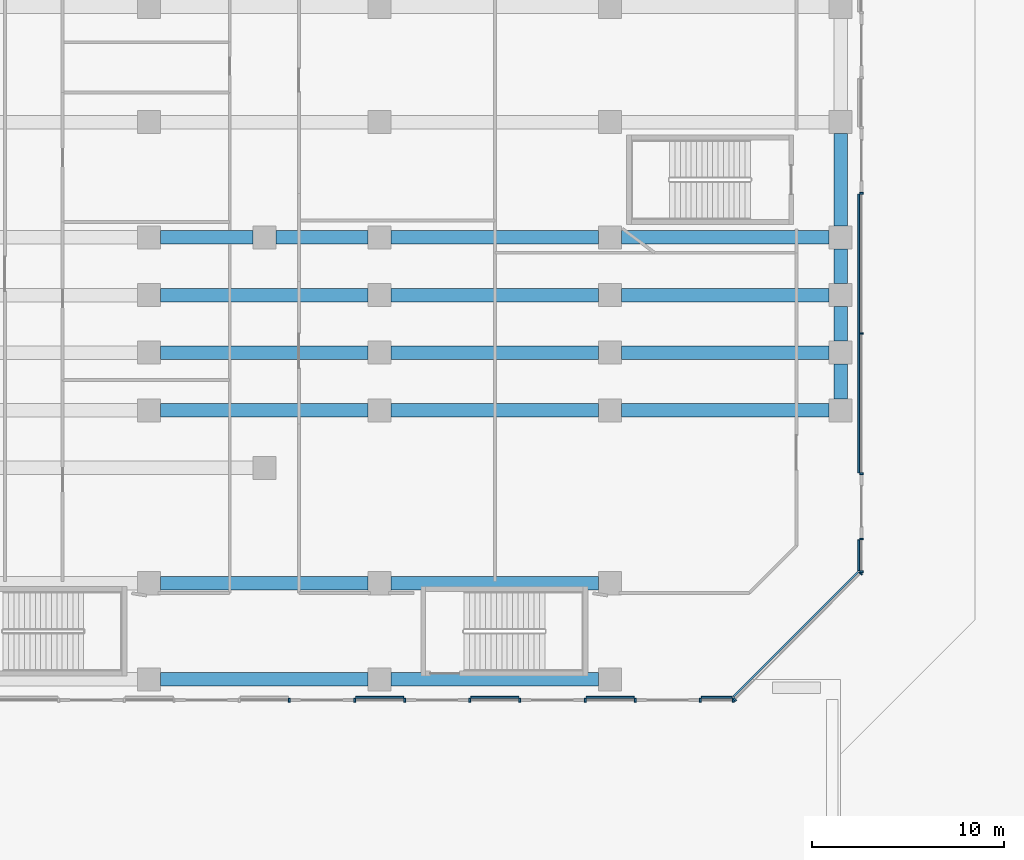
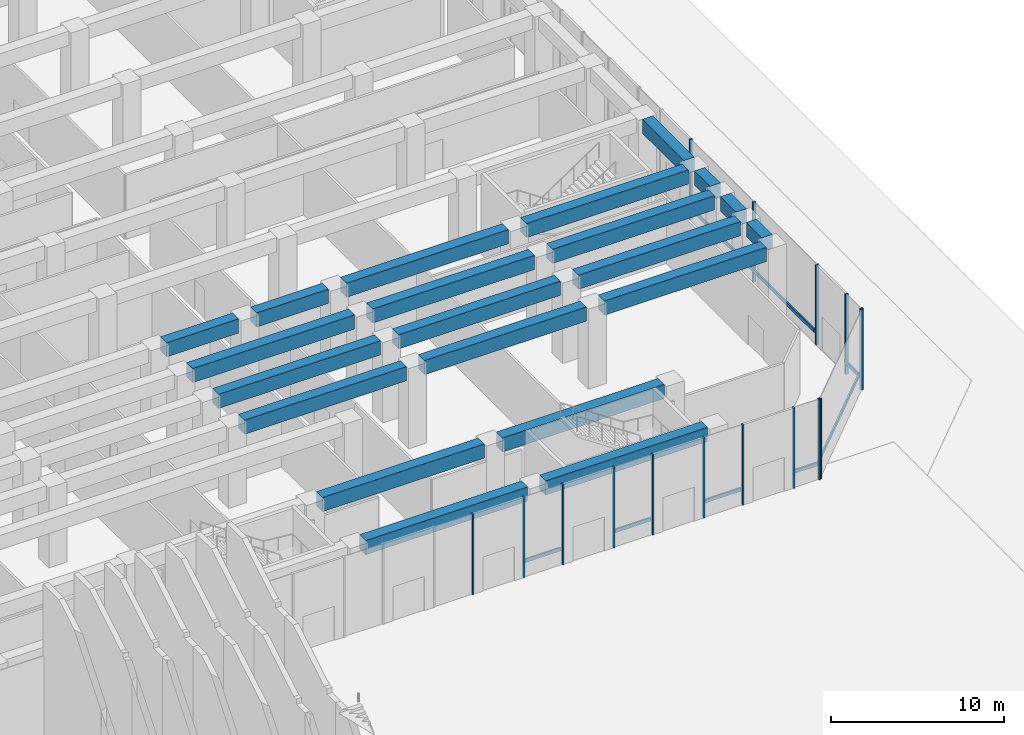
# One storey, part 6 of 32: 23 members, 21 beams, 8 elements without a shape of their own.
"""IFC4 building model written with IfcOpenShell, lengths in metres."""

from ifc_helpers import new_model, si_unit, direction, frame, origin, origin_2d, place, context, subcontext, project, spatial, rectangle, extrude, material, layer, layer_set, material_profile, profile_set, type_object, element, aggregate, save


model = new_model("IFC4")

# Units and contexts
model_context = context("Model", 3, precision=1e-05, world=origin(), true_north=direction((0.0, 1.0)))
body_context = subcontext(model_context, "Body", "Model", "MODEL_VIEW")
ifc_project = project(units=[si_unit("LENGTHUNIT", "METRE"), si_unit("AREAUNIT", "SQUARE_METRE"), si_unit("VOLUMEUNIT", "CUBIC_METRE"), si_unit("PLANEANGLEUNIT", "RADIAN"), si_unit("MASSUNIT", "GRAM", prefix="KILO")], contexts=[model_context])

# Site, building, storey
site_placement = place(None, origin())
site = spatial("IfcSite", under=ifc_project, at=site_placement, CompositionType="ELEMENT")
building_placement = place(site_placement, origin())
building = spatial("IfcBuilding", under=site, at=building_placement, Name="Welwitschia Terrace Campus", CompositionType="ELEMENT")
storey_placement = place(building_placement, origin())
storey = spatial("IfcBuildingStorey", under=building, at=storey_placement, Name="L00", CompositionType="ELEMENT", Elevation=0.0)

# Beams
ifc_material_1 = material(Name="Concrete C60/75", Category="concrete")
ifc_material_profile_1 = material_profile(ifc_material_1, rectangle(XDim=0.699951171875, YDim=1.0, at=origin_2d()))
ifc_profile_set_1 = profile_set([ifc_material_profile_1], Name="Concrete C60/75")
beam_type = type_object("IfcBeamType", Name="Base block beam 700x1000", PredefinedType="BEAM", material=ifc_profile_set_1)
for number, where, z_axis, x_axis, name in (
    (1, (60.6005859375, -9.0, 5.14990234375), (1.0, 0.0, 0.0), (0.0, 1.0, 0.0), "Beam BB1"),
    (2, (72.6005859375, -9.0, 5.14990234375), (1.0, 0.0, 0.0), (0.0, 1.0, 0.0), "Beam BB1"),
    (3, (60.6005859375, -4.0, 5.14990234375), (1.0, 0.0, 0.0), (0.0, 1.0, 0.0), "Beam BB1"),
    (4, (72.6005859375, -4.0, 5.14990234375), (1.0, 0.0, 0.0), (0.0, 1.0, 0.0), "Beam BB1"),
    (5, (60.6005859375, 5.0, 5.14990234375), (1.0, 0.0, 0.0), (0.0, 1.0, 0.0), "Beam BB1"),
    (6, (72.6005859375, 5.0, 5.14990234375), (1.0, 0.0, 0.0), (0.0, 1.0, 0.0), "Beam BB1"),
    (7, (84.6005859375, 5.0, 5.14990234375), (1.0, 0.0, 0.0), (0.0, 1.0, 0.0), "Beam BB1"),
    (8, (60.6005859375, 8.0, 5.14990234375), (1.0, 0.0, 0.0), (0.0, 1.0, 0.0), "Beam BB1"),
    (9, (72.6005859375, 8.0, 5.14990234375), (1.0, 0.0, 0.0), (0.0, 1.0, 0.0), "Beam BB1"),
    (10, (84.6005859375, 8.0, 5.14990234375), (1.0, 0.0, 0.0), (0.0, 1.0, 0.0), "Beam BB1"),
    (11, (60.6005859375, 11.0, 5.14990234375), (1.0, 0.0, 0.0), (0.0, 1.0, 0.0), "Beam BB1"),
    (12, (72.6005859375, 11.0, 5.14990234375), (1.0, 0.0, 0.0), (0.0, 1.0, 0.0), "Beam BB1"),
    (13, (84.6005859375, 11.0, 5.14990234375), (1.0, 0.0, 0.0), (0.0, 1.0, 0.0), "Beam BB1"),
):
    element("IfcBeam", number, at=place(storey_placement, frame(where, z_axis=z_axis, x_axis=x_axis)), inside=storey, type_object=beam_type, Name=name, PredefinedType="BEAM", context=body_context, shape_type="SweptSolid", body=[
        extrude(rectangle(XDim=0.699951171875, YDim=1.0, at=origin_2d()), origin(), (0.0, 0.0, 1.0), 10.798828125),
    ])
for number, where, z_axis, x_axis, name in (
    (14, (60.6005859375, 14.0, 5.14990234375), (1.0, 0.0, 0.0), (0.0, 1.0, 0.0), "Beam BB1"),
    (15, (66.6005859375, 14.0, 5.14990234375), (1.0, 0.0, 0.0), (0.0, 1.0, 0.0), "Beam BB1"),
):
    element("IfcBeam", number, at=place(storey_placement, frame(where, z_axis=z_axis, x_axis=x_axis)), inside=storey, type_object=beam_type, Name=name, PredefinedType="BEAM", context=body_context, shape_type="SweptSolid", body=[
        extrude(rectangle(XDim=0.699951171875, YDim=1.0, at=origin_2d()), origin(), (0.0, 0.0, 1.0), 4.798828125),
    ])
for number, where, z_axis, x_axis, name in (
    (16, (72.6005859375, 14.0, 5.14990234375), (1.0, 0.0, 0.0), (0.0, 1.0, 0.0), "Beam BB1"),
    (17, (84.6005859375, 14.0, 5.14990234375), (1.0, 0.0, 0.0), (0.0, 1.0, 0.0), "Beam BB1"),
):
    element("IfcBeam", number, at=place(storey_placement, frame(where, z_axis=z_axis, x_axis=x_axis)), inside=storey, type_object=beam_type, Name=name, PredefinedType="BEAM", context=body_context, shape_type="SweptSolid", body=[
        extrude(rectangle(XDim=0.699951171875, YDim=1.0, at=origin_2d()), origin(), (0.0, 0.0, 1.0), 10.798828125),
    ])
for number, where, z_axis, x_axis, name in (
    (18, (96.0, 5.6005859375, 5.14990234375), (0.0, 1.0, 0.0), (-1.0, 0.0, 0.0), "Beam BB1"),
    (19, (96.0, 8.6005859375, 5.14990234375), (0.0, 1.0, 0.0), (-1.0, 0.0, 0.0), "Beam BB1"),
    (20, (96.0, 11.6005859375, 5.14990234375), (0.0, 1.0, 0.0), (-1.0, 0.0, 0.0), "Beam BB1"),
):
    element("IfcBeam", number, at=place(storey_placement, frame(where, z_axis=z_axis, x_axis=x_axis)), inside=storey, type_object=beam_type, Name=name, PredefinedType="BEAM", context=body_context, shape_type="SweptSolid", body=[
        extrude(rectangle(XDim=0.699951171875, YDim=1.0, at=origin_2d()), origin(), (0.0, 0.0, 1.0), 1.798828125),
    ])
beam_placement = place(storey_placement, frame((96.0, 14.6005859375, 5.14990234375), z_axis=(0.0, 1.0, 0.0), x_axis=(-1.0, 0.0, 0.0)))
element("IfcBeam", 21, at=beam_placement, inside=storey, type_object=beam_type, Name="Beam BB1", PredefinedType="BEAM", context=body_context, shape_type="SweptSolid", body=[
    extrude(rectangle(XDim=0.699951171875, YDim=1.0, at=origin_2d()), origin(), (0.0, 0.0, 1.0), 4.798828125),
])

# Curtain wall, member
ifc_material_2 = material(Name="Bronze anodised aluminium", Category="aluminium")
ifc_layer = layer(ifc_material_2, 0.199951171875)
ifc_layer_set = layer_set([ifc_layer], Name="Bronze anodised aluminium")
curtain_wall_type = type_object("IfcCurtainWallType", Name="Curtain wall CW4 arcade shopfront 7500", PredefinedType="NOTDEFINED", material=ifc_layer_set)
curtain_wall_1_placement = place(storey_placement, origin())
curtain_wall_1 = element("IfcCurtainWall", 22, at=curtain_wall_1_placement, inside=storey, type_object=curtain_wall_type, Name="CW L00.0.g8", PredefinedType="NOTDEFINED")
ifc_material_3 = material(Name="Bronze anodised aluminium", Category="aluminium")
ifc_material_profile_2 = material_profile(ifc_material_3, rectangle(XDim=0.199951171875, YDim=0.10009765625, at=origin_2d()))
ifc_profile_set_2 = profile_set([ifc_material_profile_2], Name="Bronze anodised aluminium")
member_type_1 = type_object("IfcMemberType", Name="Mullion 100x200", PredefinedType="MULLION", material=ifc_profile_set_2)
member_1_placement = place(storey_placement, frame((67.300048828125, -10.0849609375, 0.0), z_axis=(0.0, 0.0, 1.0), x_axis=(0.0, 1.0, 0.0)))
member_1 = element("IfcMember", 23, at=member_1_placement, type_object=member_type_1, Name="Mullion L00.0.g8.1", PredefinedType="MULLION", context=body_context, shape_type="SweptSolid", body=[
    extrude(rectangle(XDim=0.199951171875, YDim=0.10009765625, at=origin_2d()), origin(), (0.0, 0.0, 1.0), 5.64990234375),
])
aggregate(curtain_wall_1, [member_1])

# Curtain wall, members
curtain_wall_2_placement = place(storey_placement, origin())
curtain_wall_2 = element("IfcCurtainWall", 24, at=curtain_wall_2_placement, inside=storey, type_object=curtain_wall_type, Name="CW L00.0.g9", PredefinedType="NOTDEFINED")
member_2_placement = place(storey_placement, frame((70.699951171875, -10.0849609375, 0.0), z_axis=(0.0, 0.0, 1.0), x_axis=(0.0, 1.0, 0.0)))
member_2 = element("IfcMember", 25, at=member_2_placement, type_object=member_type_1, Name="Mullion L00.0.g9.0", PredefinedType="MULLION", context=body_context, shape_type="SweptSolid", body=[
    extrude(rectangle(XDim=0.199951171875, YDim=0.10009765625, at=origin_2d()), origin(), (0.0, 0.0, 1.0), 5.64990234375),
])
member_3_placement = place(storey_placement, frame((73.300048828125, -10.0849609375, 0.0), z_axis=(0.0, 0.0, 1.0), x_axis=(0.0, 1.0, 0.0)))
member_3 = element("IfcMember", 26, at=member_3_placement, type_object=member_type_1, Name="Mullion L00.0.g9.1", PredefinedType="MULLION", context=body_context, shape_type="SweptSolid", body=[
    extrude(rectangle(XDim=0.199951171875, YDim=0.10009765625, at=origin_2d()), origin(), (0.0, 0.0, 1.0), 5.64990234375),
])

curtain_wall_3_placement = place(storey_placement, origin())
curtain_wall_3 = element("IfcCurtainWall", 27, at=curtain_wall_3_placement, inside=storey, type_object=curtain_wall_type, Name="CW L00.0.g10", PredefinedType="NOTDEFINED")
member_4_placement = place(storey_placement, frame((76.699951171875, -10.0849609375, 0.0), z_axis=(0.0, 0.0, 1.0), x_axis=(0.0, 1.0, 0.0)))
member_4 = element("IfcMember", 28, at=member_4_placement, type_object=member_type_1, Name="Mullion L00.0.g10.0", PredefinedType="MULLION", context=body_context, shape_type="SweptSolid", body=[
    extrude(rectangle(XDim=0.199951171875, YDim=0.10009765625, at=origin_2d()), origin(), (0.0, 0.0, 1.0), 5.64990234375),
])
member_5_placement = place(storey_placement, frame((79.300048828125, -10.0849609375, 0.0), z_axis=(0.0, 0.0, 1.0), x_axis=(0.0, 1.0, 0.0)))
member_5 = element("IfcMember", 29, at=member_5_placement, type_object=member_type_1, Name="Mullion L00.0.g10.1", PredefinedType="MULLION", context=body_context, shape_type="SweptSolid", body=[
    extrude(rectangle(XDim=0.199951171875, YDim=0.10009765625, at=origin_2d()), origin(), (0.0, 0.0, 1.0), 5.64990234375),
])

curtain_wall_4_placement = place(storey_placement, origin())
curtain_wall_4 = element("IfcCurtainWall", 30, at=curtain_wall_4_placement, inside=storey, type_object=curtain_wall_type, Name="CW L00.0.g11", PredefinedType="NOTDEFINED")
member_6_placement = place(storey_placement, frame((82.699951171875, -10.0849609375, 0.0), z_axis=(0.0, 0.0, 1.0), x_axis=(0.0, 1.0, 0.0)))
member_6 = element("IfcMember", 31, at=member_6_placement, type_object=member_type_1, Name="Mullion L00.0.g11.0", PredefinedType="MULLION", context=body_context, shape_type="SweptSolid", body=[
    extrude(rectangle(XDim=0.199951171875, YDim=0.10009765625, at=origin_2d()), origin(), (0.0, 0.0, 1.0), 5.64990234375),
])
member_7_placement = place(storey_placement, frame((85.300048828125, -10.0849609375, 0.0), z_axis=(0.0, 0.0, 1.0), x_axis=(0.0, 1.0, 0.0)))
member_7 = element("IfcMember", 32, at=member_7_placement, type_object=member_type_1, Name="Mullion L00.0.g11.1", PredefinedType="MULLION", context=body_context, shape_type="SweptSolid", body=[
    extrude(rectangle(XDim=0.199951171875, YDim=0.10009765625, at=origin_2d()), origin(), (0.0, 0.0, 1.0), 5.64990234375),
])

curtain_wall_5_placement = place(storey_placement, origin())
curtain_wall_5 = element("IfcCurtainWall", 33, at=curtain_wall_5_placement, inside=storey, type_object=curtain_wall_type, Name="CW L00.0.g12", PredefinedType="NOTDEFINED")
member_8_placement = place(storey_placement, frame((88.699951171875, -10.0849609375, 0.0), z_axis=(0.0, 0.0, 1.0), x_axis=(0.0, 1.0, 0.0)))
member_8 = element("IfcMember", 34, at=member_8_placement, type_object=member_type_1, Name="Mullion L00.0.g12.0", PredefinedType="MULLION", context=body_context, shape_type="SweptSolid", body=[
    extrude(rectangle(XDim=0.199951171875, YDim=0.10009765625, at=origin_2d()), origin(), (0.0, 0.0, 1.0), 5.64990234375),
])
member_9_placement = place(storey_placement, frame((90.3994140625, -10.0849609375, 0.0), z_axis=(0.0, 0.0, 1.0), x_axis=(0.0, 1.0, 0.0)))
member_9 = element("IfcMember", 35, at=member_9_placement, type_object=member_type_1, Name="Mullion L00.0.g12.1", PredefinedType="MULLION", context=body_context, shape_type="SweptSolid", body=[
    extrude(rectangle(XDim=0.199951171875, YDim=0.10009765625, at=origin_2d()), origin(), (0.0, 0.0, 1.0), 5.64990234375),
])

curtain_wall_6_placement = place(storey_placement, origin())
curtain_wall_6 = element("IfcCurtainWall", 36, at=curtain_wall_6_placement, inside=storey, type_object=curtain_wall_type, Name="CW L00.1.g0", PredefinedType="NOTDEFINED")
member_10_placement = place(storey_placement, frame((90.48486328125, -10.049560546875, 0.0), z_axis=(0.0, 0.0, 1.0), x_axis=(-0.707106781187, 0.707106781187, 0.0)))
member_10 = element("IfcMember", 37, at=member_10_placement, type_object=member_type_1, Name="Mullion L00.1.g0.0", PredefinedType="MULLION", context=body_context, shape_type="SweptSolid", body=[
    extrude(rectangle(XDim=0.199951171875, YDim=0.10009765625, at=origin_2d()), origin(), (0.0, 0.0, 1.0), 5.64990234375),
])
member_11_placement = place(storey_placement, frame((97.049560546875, -3.48486328125, 0.0), z_axis=(0.0, 0.0, 1.0), x_axis=(-0.707106781187, 0.707106781187, 0.0)))
member_11 = element("IfcMember", 38, at=member_11_placement, type_object=member_type_1, Name="Mullion L00.1.g0.1", PredefinedType="MULLION", context=body_context, shape_type="SweptSolid", body=[
    extrude(rectangle(XDim=0.199951171875, YDim=0.10009765625, at=origin_2d()), origin(), (0.0, 0.0, 1.0), 5.64990234375),
])

curtain_wall_7_placement = place(storey_placement, origin())
curtain_wall_7 = element("IfcCurtainWall", 39, at=curtain_wall_7_placement, inside=storey, type_object=curtain_wall_type, Name="CW L00.2.g0", PredefinedType="NOTDEFINED")
member_12_placement = place(storey_placement, frame((97.0849609375, -3.3994140625, 0.0), z_axis=(0.0, 0.0, 1.0), x_axis=(-1.0, 0.0, 0.0)))
member_12 = element("IfcMember", 40, at=member_12_placement, type_object=member_type_1, Name="Mullion L00.2.g0.0", PredefinedType="MULLION", context=body_context, shape_type="SweptSolid", body=[
    extrude(rectangle(XDim=0.199951171875, YDim=0.10009765625, at=origin_2d()), origin(), (0.0, 0.0, 1.0), 5.64990234375),
])
member_13_placement = place(storey_placement, frame((97.0849609375, -1.699951171875, 0.0), z_axis=(0.0, 0.0, 1.0), x_axis=(-1.0, 0.0, 0.0)))
member_13 = element("IfcMember", 41, at=member_13_placement, type_object=member_type_1, Name="Mullion L00.2.g0.1", PredefinedType="MULLION", context=body_context, shape_type="SweptSolid", body=[
    extrude(rectangle(XDim=0.199951171875, YDim=0.10009765625, at=origin_2d()), origin(), (0.0, 0.0, 1.0), 5.64990234375),
])

curtain_wall_8_placement = place(storey_placement, origin())
curtain_wall_8 = element("IfcCurtainWall", 42, at=curtain_wall_8_placement, inside=storey, type_object=curtain_wall_type, Name="CW L00.2.g1", PredefinedType="NOTDEFINED")
member_14_placement = place(storey_placement, frame((97.0849609375, 1.699951171875, 0.0), z_axis=(0.0, 0.0, 1.0), x_axis=(-1.0, 0.0, 0.0)))
member_14 = element("IfcMember", 43, at=member_14_placement, type_object=member_type_1, Name="Mullion L00.2.g1.0", PredefinedType="MULLION", context=body_context, shape_type="SweptSolid", body=[
    extrude(rectangle(XDim=0.199951171875, YDim=0.10009765625, at=origin_2d()), origin(), (0.0, 0.0, 1.0), 5.64990234375),
])
member_15_placement = place(storey_placement, frame((97.0849609375, 9.0, 0.0), z_axis=(0.0, 0.0, 1.0), x_axis=(-1.0, 0.0, 0.0)))
member_15 = element("IfcMember", 44, at=member_15_placement, type_object=member_type_1, Name="Mullion L00.2.g1.1", PredefinedType="MULLION", context=body_context, shape_type="SweptSolid", body=[
    extrude(rectangle(XDim=0.199951171875, YDim=0.10009765625, at=origin_2d()), origin(), (0.0, 0.0, 1.0), 5.64990234375),
])
member_16_placement = place(storey_placement, frame((97.0849609375, 16.300048828125, 0.0), z_axis=(0.0, 0.0, 1.0), x_axis=(-1.0, 0.0, 0.0)))
member_16 = element("IfcMember", 45, at=member_16_placement, type_object=member_type_1, Name="Mullion L00.2.g1.2", PredefinedType="MULLION", context=body_context, shape_type="SweptSolid", body=[
    extrude(rectangle(XDim=0.199951171875, YDim=0.10009765625, at=origin_2d()), origin(), (0.0, 0.0, 1.0), 5.64990234375),
])

# Member
ifc_material_4 = material(Name="Bronze anodised aluminium", Category="aluminium")
ifc_material_profile_3 = material_profile(ifc_material_4, rectangle(XDim=0.10009765625, YDim=0.25, at=origin_2d()))
ifc_profile_set_3 = profile_set([ifc_material_profile_3], Name="Bronze anodised aluminium")
member_type_2 = type_object("IfcMemberType", Name="Transom 100x250", PredefinedType="USERDEFINED", material=ifc_profile_set_3)
member_17_placement = place(storey_placement, frame((70.75, -9.93505859375, 1.0), z_axis=(1.0, 0.0, 0.0), x_axis=(0.0, 1.0, 0.0)))
member_17 = element("IfcMember", 46, at=member_17_placement, type_object=member_type_2, Name="Transom L00.0.g9", ObjectType="TRANSOM", PredefinedType="USERDEFINED", context=body_context, shape_type="SweptSolid", body=[
    extrude(rectangle(XDim=0.10009765625, YDim=0.25, at=origin_2d()), origin(), (0.0, 0.0, 1.0), 2.5),
])

aggregate(curtain_wall_2, [member_2, member_3, member_17])

member_18_placement = place(storey_placement, frame((76.75, -9.93505859375, 1.0), z_axis=(1.0, 0.0, 0.0), x_axis=(0.0, 1.0, 0.0)))
member_18 = element("IfcMember", 47, at=member_18_placement, type_object=member_type_2, Name="Transom L00.0.g10", ObjectType="TRANSOM", PredefinedType="USERDEFINED", context=body_context, shape_type="SweptSolid", body=[
    extrude(rectangle(XDim=0.10009765625, YDim=0.25, at=origin_2d()), origin(), (0.0, 0.0, 1.0), 2.5),
])

aggregate(curtain_wall_3, [member_4, member_5, member_18])

member_19_placement = place(storey_placement, frame((82.75, -9.93505859375, 1.0), z_axis=(1.0, 0.0, 0.0), x_axis=(0.0, 1.0, 0.0)))
member_19 = element("IfcMember", 48, at=member_19_placement, type_object=member_type_2, Name="Transom L00.0.g11", ObjectType="TRANSOM", PredefinedType="USERDEFINED", context=body_context, shape_type="SweptSolid", body=[
    extrude(rectangle(XDim=0.10009765625, YDim=0.25, at=origin_2d()), origin(), (0.0, 0.0, 1.0), 2.5),
])

aggregate(curtain_wall_4, [member_6, member_7, member_19])

member_20_placement = place(storey_placement, frame((88.75, -9.93505859375, 1.0), z_axis=(1.0, 0.0, 0.0), x_axis=(0.0, 1.0, 0.0)))
member_20 = element("IfcMember", 49, at=member_20_placement, type_object=member_type_2, Name="Transom L00.0.g12", ObjectType="TRANSOM", PredefinedType="USERDEFINED", context=body_context, shape_type="SweptSolid", body=[
    extrude(rectangle(XDim=0.10009765625, YDim=0.25, at=origin_2d()), origin(), (0.0, 0.0, 1.0), 1.599365234375),
])

aggregate(curtain_wall_5, [member_8, member_9, member_20])

member_21_placement = place(storey_placement, frame((90.4140625, -9.908203125, 1.0), z_axis=(0.707106781187, 0.707106781187, 0.0), x_axis=(-0.707106781187, 0.707106781187, 0.0)))
member_21 = element("IfcMember", 50, at=member_21_placement, type_object=member_type_2, Name="Transom L00.1.g0", ObjectType="TRANSOM", PredefinedType="USERDEFINED", context=body_context, shape_type="SweptSolid", body=[
    extrude(rectangle(XDim=0.10009765625, YDim=0.25, at=origin_2d()), origin(), (0.0, 0.0, 1.0), 9.18408203125),
])

aggregate(curtain_wall_6, [member_10, member_11, member_21])

member_22_placement = place(storey_placement, frame((96.93505859375, -3.349365234375, 1.0), z_axis=(0.0, 1.0, 0.0), x_axis=(-1.0, 0.0, 0.0)))
member_22 = element("IfcMember", 51, at=member_22_placement, type_object=member_type_2, Name="Transom L00.2.g0", ObjectType="TRANSOM", PredefinedType="USERDEFINED", context=body_context, shape_type="SweptSolid", body=[
    extrude(rectangle(XDim=0.10009765625, YDim=0.25, at=origin_2d()), origin(), (0.0, 0.0, 1.0), 1.599365234375),
])

aggregate(curtain_wall_7, [member_12, member_13, member_22])

member_23_placement = place(storey_placement, frame((96.93505859375, 1.75, 1.0), z_axis=(0.0, 1.0, 0.0), x_axis=(-1.0, 0.0, 0.0)))
member_23 = element("IfcMember", 52, at=member_23_placement, type_object=member_type_2, Name="Transom L00.2.g1", ObjectType="TRANSOM", PredefinedType="USERDEFINED", context=body_context, shape_type="SweptSolid", body=[
    extrude(rectangle(XDim=0.10009765625, YDim=0.25, at=origin_2d()), origin(), (0.0, 0.0, 1.0), 14.5),
])

aggregate(curtain_wall_8, [member_14, member_15, member_16, member_23])

save(model, "model.ifc")
